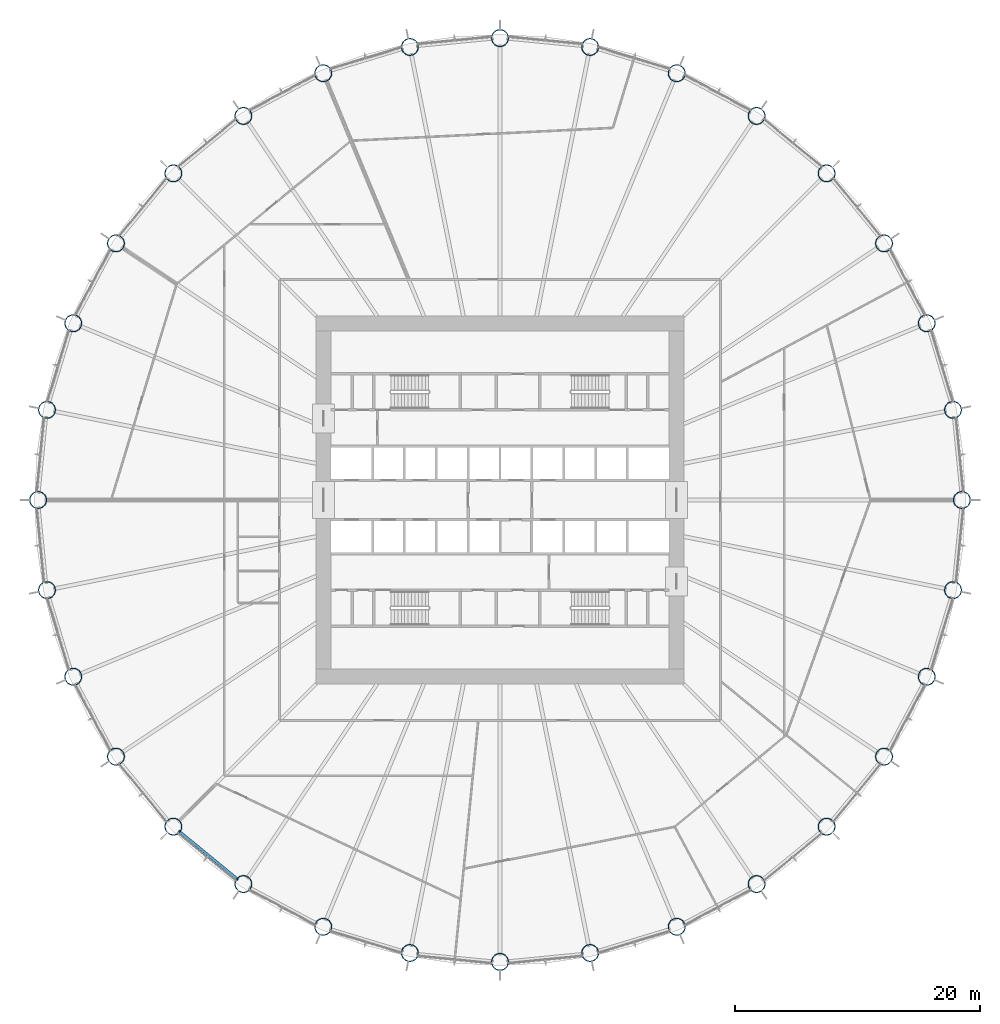
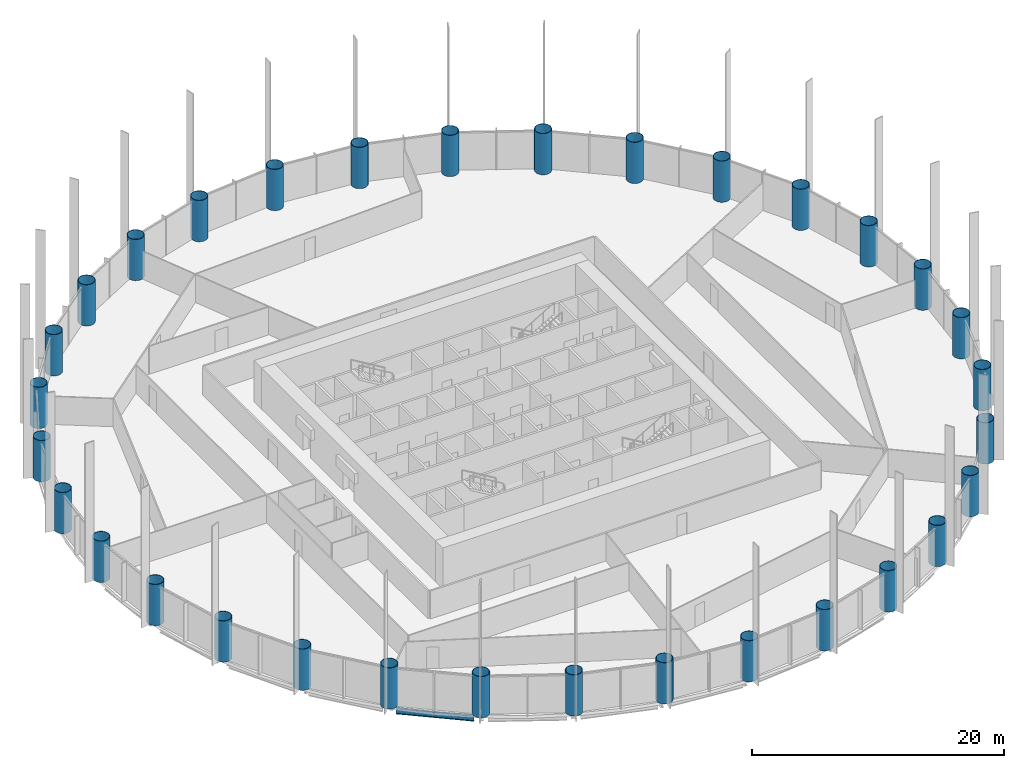
# One storey, part 1 of 14: 32 columns, 1 beam.
"""IFC4 building model written with IfcOpenShell, lengths in metres."""

from ifc_helpers import new_model, si_unit, direction, frame, origin, origin_2d, place, context, subcontext, project, spatial, hollow_circle, i_section, extrude, material, material_profile, profile_set, type_object, element, save


model = new_model("IFC4")

# Units and contexts
model_context = context("Model", 3, precision=1e-05, world=origin(), true_north=direction((0.0, 1.0)))
body_context = subcontext(model_context, "Body", "Model", "MODEL_VIEW")
ifc_project = project(units=[si_unit("LENGTHUNIT", "METRE"), si_unit("AREAUNIT", "SQUARE_METRE"), si_unit("VOLUMEUNIT", "CUBIC_METRE"), si_unit("PLANEANGLEUNIT", "RADIAN"), si_unit("MASSUNIT", "GRAM", prefix="KILO")], contexts=[model_context])

# Site, building, storey
site_placement = place(None, origin())
site = spatial("IfcSite", under=ifc_project, at=site_placement, CompositionType="ELEMENT")
building_placement = place(site_placement, origin())
building = spatial("IfcBuilding", under=site, at=building_placement, Name="Corvane Civic Tower", CompositionType="ELEMENT")
storey_placement = place(building_placement, frame((0.0, 0.0, 77.0)))
storey = spatial("IfcBuildingStorey", under=building, at=storey_placement, Name="L17", CompositionType="ELEMENT", Elevation=77.0)

# Columns
ifc_material_1 = material(Name="Steel ASTM A572 Gr 50", Category="steel")
ifc_material_profile_1 = material_profile(ifc_material_1, hollow_circle(Radius=0.699951171875, WallThickness=0.0400390625, at=origin_2d()), Name="CHS1400X40")
ifc_profile_set_1 = profile_set([ifc_material_profile_1], Name="Steel ASTM A572 Gr 50")
column_type = type_object("IfcColumnType", Name="COMPOSITE COLUMN CHS1400X40", PredefinedType="COLUMN", material=ifc_profile_set_1)
for number, where, z_axis, x_axis, name in (
    (1, (0.0, 37.699951171875, 0.0), (0.0, 0.0, 1.0), (1.0, 0.0, 0.0), "COL-L17-A01"),
    (2, (7.35498046875, 36.9755859375, 0.0), (0.0, 0.0, 1.0), (1.0, 0.0, 0.0), "COL-L17-A02"),
    (3, (14.42724609375, 34.830322265625, 0.0), (0.0, 0.0, 1.0), (1.0, 0.0, 0.0), "COL-L17-A03"),
    (4, (20.945068359375, 31.346435546875, 0.0), (0.0, 0.0, 1.0), (1.0, 0.0, 0.0), "COL-L17-A04"),
    (5, (26.657958984375, 26.657958984375, 0.0), (0.0, 0.0, 1.0), (1.0, 0.0, 0.0), "COL-L17-A05"),
    (6, (31.346435546875, 20.945068359375, 0.0), (0.0, 0.0, 1.0), (1.0, 0.0, 0.0), "COL-L17-A06"),
    (7, (34.830322265625, 14.42724609375, 0.0), (0.0, 0.0, 1.0), (1.0, 0.0, 0.0), "COL-L17-A07"),
    (8, (36.9755859375, 7.35498046875, 0.0), (0.0, 0.0, 1.0), (1.0, 0.0, 0.0), "COL-L17-A08"),
    (9, (37.699951171875, 0.0, 0.0), (0.0, 0.0, 1.0), (1.0, 0.0, 0.0), "COL-L17-A09"),
    (10, (36.9755859375, -7.35498046875, 0.0), (0.0, 0.0, 1.0), (1.0, 0.0, 0.0), "COL-L17-A10"),
    (11, (34.830322265625, -14.42724609375, 0.0), (0.0, 0.0, 1.0), (1.0, 0.0, 0.0), "COL-L17-A11"),
    (12, (31.346435546875, -20.945068359375, 0.0), (0.0, 0.0, 1.0), (1.0, 0.0, 0.0), "COL-L17-A12"),
    (13, (26.657958984375, -26.657958984375, 0.0), (0.0, 0.0, 1.0), (1.0, 0.0, 0.0), "COL-L17-A13"),
    (14, (20.945068359375, -31.346435546875, 0.0), (0.0, 0.0, 1.0), (1.0, 0.0, 0.0), "COL-L17-A14"),
    (15, (14.42724609375, -34.830322265625, 0.0), (0.0, 0.0, 1.0), (1.0, 0.0, 0.0), "COL-L17-A15"),
    (16, (7.35498046875, -36.9755859375, 0.0), (0.0, 0.0, 1.0), (1.0, 0.0, 0.0), "COL-L17-A16"),
    (17, (0.0, -37.699951171875, 0.0), (0.0, 0.0, 1.0), (1.0, 0.0, 0.0), "COL-L17-A17"),
    (18, (-7.35498046875, -36.9755859375, 0.0), (0.0, 0.0, 1.0), (1.0, 0.0, 0.0), "COL-L17-A18"),
    (19, (-14.42724609375, -34.830322265625, 0.0), (0.0, 0.0, 1.0), (1.0, 0.0, 0.0), "COL-L17-A19"),
    (20, (-20.945068359375, -31.346435546875, 0.0), (0.0, 0.0, 1.0), (1.0, 0.0, 0.0), "COL-L17-A20"),
    (21, (-26.657958984375, -26.657958984375, 0.0), (0.0, 0.0, 1.0), (1.0, 0.0, 0.0), "COL-L17-A21"),
    (22, (-31.346435546875, -20.945068359375, 0.0), (0.0, 0.0, 1.0), (1.0, 0.0, 0.0), "COL-L17-A22"),
    (23, (-34.830322265625, -14.42724609375, 0.0), (0.0, 0.0, 1.0), (1.0, 0.0, 0.0), "COL-L17-A23"),
    (24, (-36.9755859375, -7.35498046875, 0.0), (0.0, 0.0, 1.0), (1.0, 0.0, 0.0), "COL-L17-A24"),
    (25, (-37.699951171875, 0.0, 0.0), (0.0, 0.0, 1.0), (1.0, 0.0, 0.0), "COL-L17-A25"),
    (26, (-36.9755859375, 7.35498046875, 0.0), (0.0, 0.0, 1.0), (1.0, 0.0, 0.0), "COL-L17-A26"),
    (27, (-34.830322265625, 14.42724609375, 0.0), (0.0, 0.0, 1.0), (1.0, 0.0, 0.0), "COL-L17-A27"),
    (28, (-31.346435546875, 20.945068359375, 0.0), (0.0, 0.0, 1.0), (1.0, 0.0, 0.0), "COL-L17-A28"),
    (29, (-26.657958984375, 26.657958984375, 0.0), (0.0, 0.0, 1.0), (1.0, 0.0, 0.0), "COL-L17-A29"),
    (30, (-20.945068359375, 31.346435546875, 0.0), (0.0, 0.0, 1.0), (1.0, 0.0, 0.0), "COL-L17-A30"),
    (31, (-14.42724609375, 34.830322265625, 0.0), (0.0, 0.0, 1.0), (1.0, 0.0, 0.0), "COL-L17-A31"),
    (32, (-7.35498046875, 36.9755859375, 0.0), (0.0, 0.0, 1.0), (1.0, 0.0, 0.0), "COL-L17-A32"),
):
    element("IfcColumn", number, at=place(storey_placement, frame(where, z_axis=z_axis, x_axis=x_axis)), inside=storey, type_object=column_type, Name=name, PredefinedType="COLUMN", context=body_context, shape_type="SweptSolid", body=[
        extrude(hollow_circle(Radius=0.699951171875, WallThickness=0.0400390625, at=origin_2d()), origin(), (0.0, 0.0, 1.0), 4.0),
    ])

# Beam
ifc_material_2 = material(Name="Steel ASTM A992 Gr 50", Category="steel")
ifc_material_profile_2 = material_profile(ifc_material_2, i_section(OverallWidth=0.209228515625, OverallDepth=0.533447265625, WebThickness=0.01025390625, FlangeThickness=0.015625, at=origin_2d()), Name="W21X62")
ifc_profile_set_2 = profile_set([ifc_material_profile_2], Name="Steel ASTM A992 Gr 50")
beam_type = type_object("IfcBeamType", Name="EDGE BEAM W21X62", PredefinedType="BEAM", material=ifc_profile_set_2)
beam_placement = place(storey_placement, frame((-21.3701171875, -30.99755859375, -0.566650390625), z_axis=(-0.773015785286, 0.634386787141, 0.0), x_axis=(-0.634386787141, -0.773015785286, 0.0)))
element("IfcBeam", 33, at=beam_placement, inside=storey, type_object=beam_type, Name="BM-L17-E20", PredefinedType="BEAM", context=body_context, shape_type="SweptSolid", body=[
    extrude(i_section(OverallWidth=0.209228515625, OverallDepth=0.533447265625, WebThickness=0.01025390625, FlangeThickness=0.015625, at=origin_2d()), origin(), (0.0, 0.0, 1.0), 6.290771484375),
])

save(model, "model.ifc")
